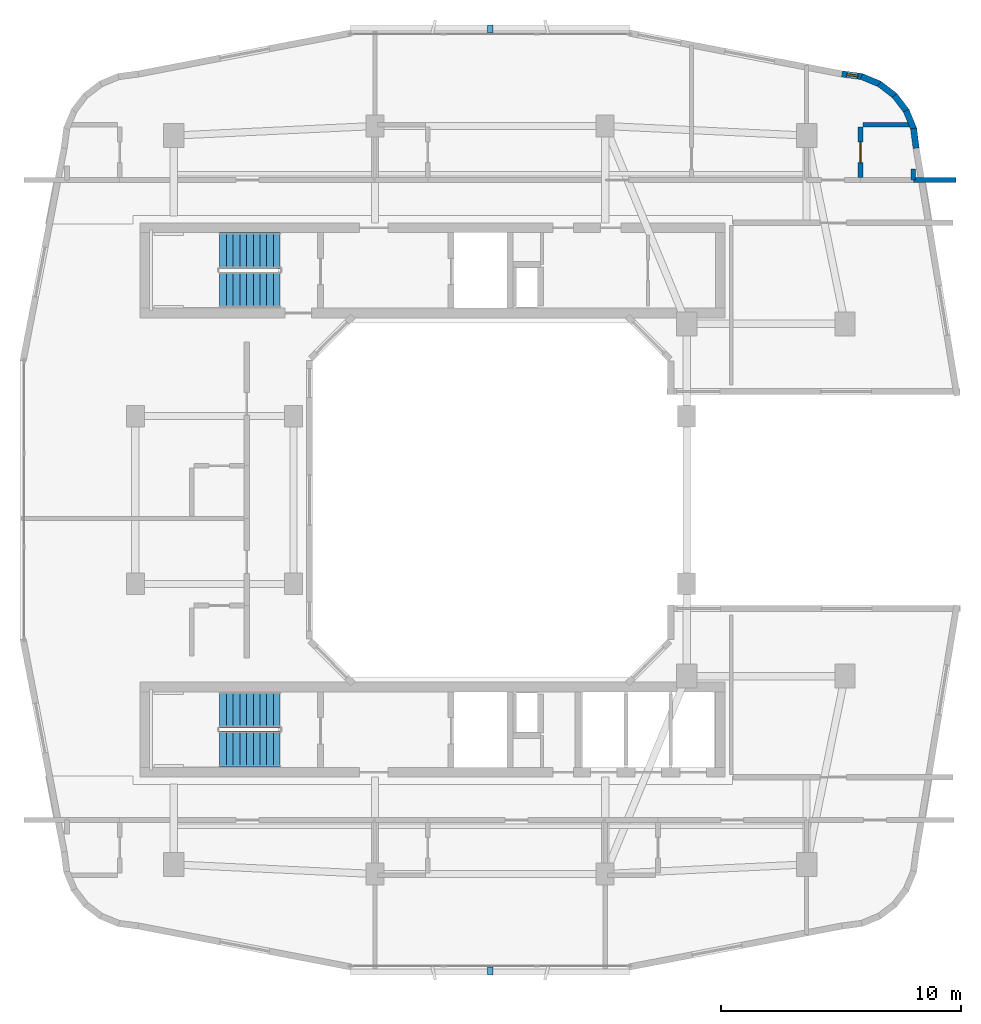
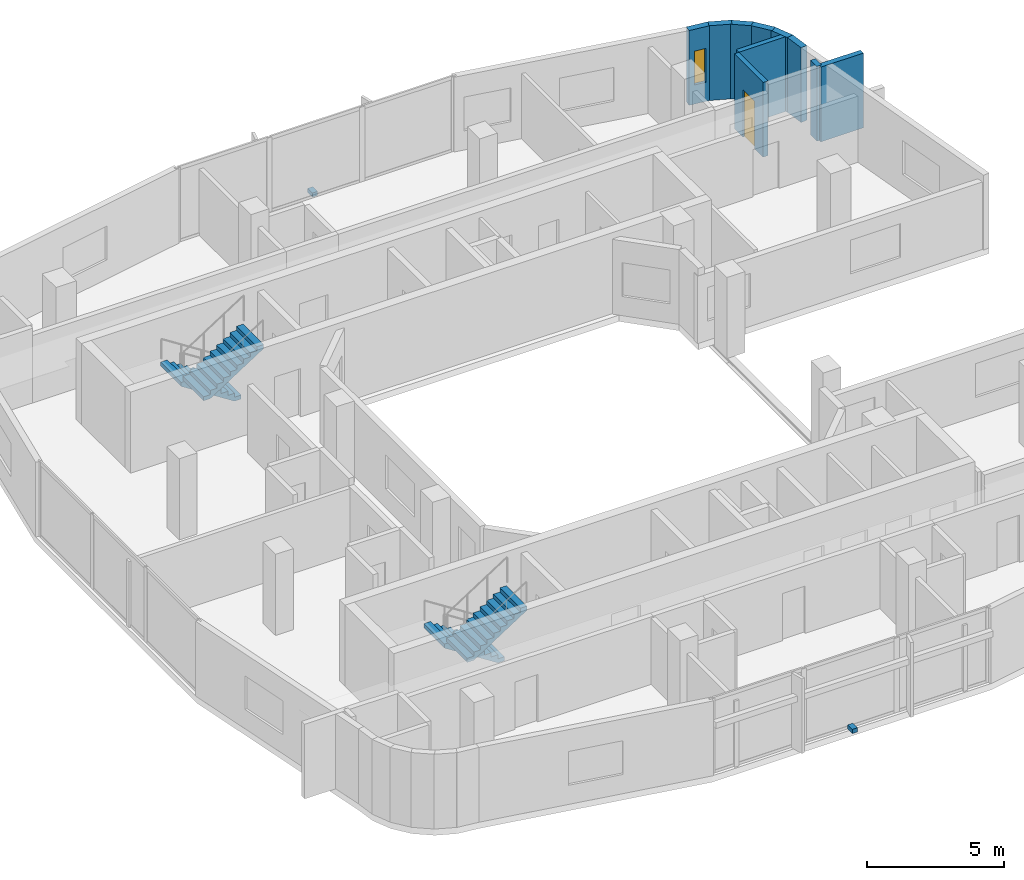
# One storey, part 8 of 12: 10 walls, 4 stair flights, 2 discrete accessories, 1 door, 1 window, 2 openings, 2 elements without a shape of their own.
"""IFC4 building model written with IfcOpenShell, lengths in metres."""

from ifc_helpers import new_model, si_unit, derived_unit, direction, frame, frame_2d, origin, origin_2d, place, context, subcontext, project, spatial, polyline, rectangle, outline, extrude, material, layer, layer_set, type_object, element, fill, aggregate, save


model = new_model("IFC4")

# Units and contexts
model_context = context("Model", 3, precision=1e-05, world=origin(), true_north=direction((0.0, 1.0)))
body_context = subcontext(model_context, "Body", "Model", "MODEL_VIEW")
ifc_project = project(units=[si_unit("LENGTHUNIT", "METRE"), si_unit("AREAUNIT", "SQUARE_METRE"), si_unit("VOLUMEUNIT", "CUBIC_METRE"), si_unit("PLANEANGLEUNIT", "RADIAN"), si_unit("MASSUNIT", "GRAM", prefix="KILO"), derived_unit("THERMALTRANSMITTANCEUNIT", [(si_unit("POWERUNIT", "WATT"), 1), (si_unit("LENGTHUNIT", "METRE"), -2), (si_unit("THERMODYNAMICTEMPERATUREUNIT", "KELVIN"), -1)])], contexts=[model_context])

# Site, building, storey
site_placement = place(None, origin())
site = spatial("IfcSite", under=ifc_project, at=site_placement, CompositionType="ELEMENT")
building_placement = place(site_placement, origin())
building = spatial("IfcBuilding", under=site, at=building_placement, Name="Kivonza Crest Hotel", CompositionType="ELEMENT")
storey_placement = place(building_placement, frame((0.0, 0.0, 181.10009765625)))
storey = spatial("IfcBuildingStorey", under=building, at=storey_placement, Name="L49", CompositionType="ELEMENT", Elevation=181.10009765625)

# Walls
ifc_material_1 = material(Name="Autoclaved aerated concrete blockwork", Category="masonry")
ifc_layer_1 = layer(ifc_material_1, 0.219970703125)
ifc_layer_set_1 = layer_set([ifc_layer_1], Name="Autoclaved aerated concrete blockwork")
wall_type_1 = type_object("IfcWallType", Name="WL-ACOU-220", PredefinedType="SOLIDWALL", material=ifc_layer_set_1)
wall_1_placement = place(storey_placement, frame((38.64990234375, 38.35009765625, 0.0), z_axis=(0.0, 0.0, 1.0), x_axis=(1.0, 0.0, 0.0)))
element("IfcWall", 1, at=wall_1_placement, inside=storey, type_object=wall_type_1, Name="L49 interior partition WA-L49-N03-XCORR", PredefinedType="SOLIDWALL", context=body_context, shape_type="SweptSolid", body=[
    extrude(rectangle(XDim=1.7900390625, YDim=0.219970703125, at=frame_2d((0.89501953125, 0.0))), origin(), (0.0, 0.0, 1.0), 3.31982421875),
])
ifc_material_2 = material(Name="Precast concrete C40/50", Category="concrete")
ifc_layer_2 = layer(ifc_material_2, 0.260009765625)
ifc_layer_set_2 = layer_set([ifc_layer_2], Name="Precast concrete C40/50")
wall_type_2 = type_object("IfcWallType", Name="WL-EXT-260", PredefinedType="STANDARD", material=ifc_layer_set_2)
wall_2_placement = place(storey_placement, frame((38.77197265625, 39.675048828125, 0.0), z_axis=(0.0, 0.0, 1.0), x_axis=(-0.130704676564, 0.99142134712, 0.0)))
element("IfcWall", 2, at=wall_2_placement, inside=storey, type_object=wall_type_2, Name="L49 T1 exterior insulated wall 29", PredefinedType="STANDARD", context=body_context, shape_type="SweptSolid", body=[
    extrude(rectangle(XDim=0.8330078125, YDim=0.260009765625, at=frame_2d((0.41650390625, 0.0))), origin(), (0.0, 0.0, 1.0), 3.31982421875),
])
wall_3_placement = place(storey_placement, frame((38.680908203125, 40.455078125, 0.0), z_axis=(0.0, 0.0, 1.0), x_axis=(-0.383086687796, 0.923712395518, 0.0)))
element("IfcWall", 3, at=wall_3_placement, inside=storey, type_object=wall_type_2, Name="L49 T1 exterior insulated wall 30", PredefinedType="STANDARD", context=body_context, shape_type="SweptSolid", body=[
    extrude(rectangle(XDim=0.850830078125, YDim=0.260009765625, at=frame_2d((0.42529296875, 0.0))), origin(), (0.0, 0.0, 1.0), 3.31982421875),
])
for number, where, z_axis, x_axis, name in (
    (4, (38.383056640625, 41.200927734375, 0.0), (0.0, 0.0, 1.0), (-0.608099977432, 0.793860452124, 0.0), "L49 T1 exterior insulated wall 31"),
    (5, (37.904052734375, 41.844970703125, 0.0), (0.0, 0.0, 1.0), (-0.793860452124, 0.608099977432, 0.0), "L49 T1 exterior insulated wall 32"),
):
    element("IfcWall", number, at=place(storey_placement, frame(where, z_axis=z_axis, x_axis=x_axis)), inside=storey, type_object=wall_type_2, Name=name, PredefinedType="STANDARD", context=body_context, shape_type="SweptSolid", body=[
        extrude(rectangle(XDim=0.850341796875, YDim=0.260009765625, at=frame_2d((0.42529296875, 0.0))), origin(), (0.0, 0.0, 1.0), 3.31982421875),
    ])
wall_4_placement = place(storey_placement, frame((37.27294921875, 42.341064453125, 0.0), z_axis=(0.0, 0.0, 1.0), x_axis=(-0.923712395518, 0.383086687796, 0.0)))
element("IfcWall", 6, at=wall_4_placement, inside=storey, type_object=wall_type_2, Name="L49 T1 exterior insulated wall 33", PredefinedType="STANDARD", context=body_context, shape_type="SweptSolid", body=[
    extrude(rectangle(XDim=0.850830078125, YDim=0.260009765625, at=frame_2d((0.42529296875, 0.0))), origin(), (0.0, 0.0, 1.0), 3.31982421875),
])

# Wall, opening, window
wall_5_placement = place(storey_placement, frame((36.535888671875, 42.658935546875, 0.0), z_axis=(0.0, 0.0, 1.0), x_axis=(-0.991488716273, 0.130192647656, 0.0)))
wall_5 = element("IfcWall", 7, at=wall_5_placement, inside=storey, type_object=wall_type_2, Name="L49 T1 exterior insulated wall 34", PredefinedType="STANDARD", context=body_context, shape_type="SweptSolid", body=[
    extrude(rectangle(XDim=0.8681640625, YDim=0.260009765625, at=frame_2d((0.43408203125, 0.0))), origin(), (0.0, 0.0, 1.0), 3.31982421875),
])
opening_1_placement = place(wall_5_placement, frame((0.208984375, 0.0, 0.85009765625)))
opening_1 = element("IfcOpeningElement", 8, at=opening_1_placement, cuts=wall_5, Name="Opening WN-11", PredefinedType="OPENING", context=body_context, shape_type="SweptSolid", body=[
    extrude(rectangle(XDim=0.449951171875, YDim=1.5, at=frame_2d((0.22509765625, 0.75))), frame((0.0, 0.14013671875, 0.0), z_axis=(0.0, -1.0, 0.0), x_axis=(1.0, 0.0, 0.0)), (0.0, 0.0, 1.0), 0.280029296875),
])
ifc_material_3 = material(Name="Thermally broken bronze aluminium and low-E double glazing", Category="aluminium")
window_type = type_object("IfcWindowType", Name="WN-045x150", PartitioningType="SINGLE_PANEL", PredefinedType="WINDOW", material=ifc_material_3)
window_placement = place(opening_1_placement, origin())
window = element("IfcWindow", 9, at=window_placement, inside=storey, type_object=window_type, Name="L49 corner vision window 1", OverallHeight=1.5, OverallWidth=0.449951171875, PartitioningType="SINGLE_PANEL", PredefinedType="WINDOW", context=body_context, shape_type="SweptSolid", body=[
    extrude(rectangle(XDim=0.449951171875, YDim=1.5, at=frame_2d((0.22509765625, 0.75))), frame((0.0, 0.030029296875, 0.0), z_axis=(0.0, -1.0, 0.0), x_axis=(1.0, 0.0, 0.0)), (0.0, 0.0, 1.0), 0.06005859375),
])
fill(opening_1, window)

# Wall, opening, door
ifc_material_4 = material(Name="Moisture-resistant plumbing chase partition wall", Category="gypsum")
ifc_layer_3 = layer(ifc_material_4, 0.199951171875)
ifc_layer_set_3 = layer_set([ifc_layer_3], Name="Moisture-resistant plumbing chase partition wall")
wall_type_3 = type_object("IfcWallType", Name="WL-PLUMB-200", PredefinedType="PLUMBINGWALL", material=ifc_layer_set_3)
wall_6_placement = place(storey_placement, frame((36.449951171875, 38.449951171875, 0.0), z_axis=(0.0, 0.0, 1.0), x_axis=(0.0, 1.0, 0.0)))
wall_6 = element("IfcWall", 10, at=wall_6_placement, inside=storey, type_object=wall_type_3, Name="L49 interior partition WW-L49-N03-BV", PredefinedType="PLUMBINGWALL", context=body_context, shape_type="SweptSolid", body=[
    extrude(rectangle(XDim=2.10009765625, YDim=0.199951171875, at=frame_2d((1.050048828125, 0.0))), origin(), (0.0, 0.0, 1.0), 3.31982421875),
])
opening_2_placement = place(wall_6_placement, frame((0.625, 0.0, 0.0)))
opening_2 = element("IfcOpeningElement", 11, at=opening_2_placement, cuts=wall_6, Name="Opening DI-85", PredefinedType="OPENING", context=body_context, shape_type="SweptSolid", body=[
    extrude(rectangle(XDim=0.85009765625, YDim=2.10009765625, at=frame_2d((0.425048828125, 1.050048828125))), frame((0.0, 0.10986328125, 0.0), z_axis=(0.0, -1.0, 0.0), x_axis=(1.0, 0.0, 0.0)), (0.0, 0.0, 1.0), 0.219970703125),
])
ifc_material_5 = material(Name="Hardwood timber oak", Category="wood")
door_type = type_object("IfcDoorType", Name="DR-INT-850", OperationType="NOTDEFINED", PredefinedType="DOOR", material=ifc_material_5)
door_placement = place(opening_2_placement, origin())
door = element("IfcDoor", 12, at=door_placement, inside=storey, type_object=door_type, Name="L49 N03 en-suite bathroom door", OperationType="SINGLE_SWING_RIGHT", OverallHeight=2.10009765625, OverallWidth=0.85009765625, PredefinedType="DOOR", context=body_context, shape_type="SweptSolid", body=[
    extrude(rectangle(XDim=0.85009765625, YDim=2.10009765625, at=frame_2d((0.425048828125, 1.050048828125))), frame((0.0, 0.02490234375, 0.0), z_axis=(0.0, -1.0, 0.0), x_axis=(1.0, 0.0, 0.0)), (0.0, 0.0, 1.0), 0.050048828125),
])
fill(opening_2, door)

# Walls
wall_7_placement = place(storey_placement, frame((36.550048828125, 40.64990234375, 0.0), z_axis=(0.0, 0.0, 1.0), x_axis=(1.0, 0.0, 0.0)))
element("IfcWall", 13, at=wall_7_placement, inside=storey, type_object=wall_type_3, Name="L49 interior partition WW-L49-N03-BH", PredefinedType="PLUMBINGWALL", context=body_context, shape_type="SweptSolid", body=[
    extrude(rectangle(XDim=2.0, YDim=0.199951171875, at=frame_2d((1.0, 0.0))), origin(), (0.0, 0.0, 1.0), 3.31982421875),
])
wall_8_placement = place(storey_placement, frame((38.64990234375, 38.35009765625, 0.0), z_axis=(0.0, 0.0, 1.0), x_axis=(0.0, 1.0, 0.0)))
element("IfcWall", 14, at=wall_8_placement, inside=storey, type_object=wall_type_3, Name="L49 interior partition WW-L49-N03-BVE", PredefinedType="PLUMBINGWALL", context=body_context, shape_type="SweptSolid", body=[
    extrude(rectangle(XDim=0.458984375, YDim=0.199951171875, at=frame_2d((0.2294921875, 0.0))), origin(), (0.0, 0.0, 1.0), 3.31982421875),
])

# Stair, stair flights
ifc_material_6 = material(Name="Concrete C40/50", Category="concrete")
stair_type = type_object("IfcStairType", Name="ST-DL-20R", PredefinedType="HALF_TURN_STAIR", material=ifc_material_6)
stair_1_placement = place(storey_placement, origin())
stair_1 = element("IfcStair", 15, at=stair_1_placement, inside=storey, type_object=stair_type, Name="L49 Protected Exit Stair ST-T1-N", PredefinedType="HALF_TURN_STAIR")
stair_flight_type = type_object("IfcStairFlightType", Name="SFL-RC-10R", PredefinedType="STRAIGHT", material=ifc_material_6)
stair_flight_1_placement = place(storey_placement, frame((12.239990234375, 35.409912109375, 0.0), z_axis=(0.0, 0.0, 1.0), x_axis=(-1.0, 0.0, 0.0)))
stair_flight_1 = element("IfcStairFlight", 16, at=stair_flight_1_placement, type_object=stair_flight_type, Name="ST-T1-N flight 1", NumberOfRisers=10, NumberOfTreads=9, PredefinedType="STRAIGHT", RiserHeight=0.18, TreadLength=0.28, context=body_context, shape_type="SweptSolid", body=[
    extrude(outline(polyline([(0.0, 0.0), (0.0, 0.179931640625), (0.280029296875, 0.179931640625), (0.280029296875, 0.360107421875), (0.56005859375, 0.360107421875), (0.56005859375, 0.5400390625), (0.840087890625, 0.5400390625), (0.840087890625, 0.719970703125), (1.1201171875, 0.719970703125), (1.1201171875, 0.89990234375), (1.39990234375, 0.89990234375), (1.39990234375, 1.080078125), (1.679931640625, 1.080078125), (1.679931640625, 1.260009765625), (1.9599609375, 1.260009765625), (1.9599609375, 1.43994140625), (2.239990234375, 1.43994140625), (2.239990234375, 1.6201171875), (2.52001953125, 1.6201171875), (2.52001953125, 1.800048828125), (2.52001953125, 1.44189453125), (0.277099609375, 0.0), (0.0, 0.0)])), frame((0.0, 0.75, 0.0), z_axis=(0.0, -1.0, 0.0), x_axis=(1.0, 0.0, 0.0)), (0.0, 0.0, 1.0), 1.5),
])
stair_flight_2_placement = place(storey_placement, frame((9.719970703125, 33.77001953125, 1.7998046875), z_axis=(0.0, 0.0, 1.0), x_axis=(1.0, 0.0, 0.0)))
stair_flight_2 = element("IfcStairFlight", 17, at=stair_flight_2_placement, type_object=stair_flight_type, Name="ST-T1-N flight 2", NumberOfRisers=10, NumberOfTreads=9, PredefinedType="STRAIGHT", RiserHeight=0.18, TreadLength=0.28, context=body_context, shape_type="SweptSolid", body=[
    extrude(outline(polyline([(0.0, 0.0), (0.0, 0.179931640625), (0.280029296875, 0.179931640625), (0.280029296875, 0.360107421875), (0.56005859375, 0.360107421875), (0.56005859375, 0.5400390625), (0.840087890625, 0.5400390625), (0.840087890625, 0.719970703125), (1.1201171875, 0.719970703125), (1.1201171875, 0.89990234375), (1.39990234375, 0.89990234375), (1.39990234375, 1.080078125), (1.679931640625, 1.080078125), (1.679931640625, 1.260009765625), (1.9599609375, 1.260009765625), (1.9599609375, 1.43994140625), (2.239990234375, 1.43994140625), (2.239990234375, 1.6201171875), (2.52001953125, 1.6201171875), (2.52001953125, 1.800048828125), (2.52001953125, 1.44189453125), (0.277099609375, 0.0), (0.0, 0.0)])), frame((0.0, 0.75, 0.0), z_axis=(0.0, -1.0, 0.0), x_axis=(1.0, 0.0, 0.0)), (0.0, 0.0, 1.0), 1.5),
])
aggregate(stair_1, [stair_flight_1, stair_flight_2])

stair_2_placement = place(storey_placement, origin())
stair_2 = element("IfcStair", 18, at=stair_2_placement, inside=storey, type_object=stair_type, Name="L49 Protected Exit Stair ST-T1-S", PredefinedType="HALF_TURN_STAIR")
stair_flight_3_placement = place(storey_placement, frame((12.239990234375, 16.25, 0.0), z_axis=(0.0, 0.0, 1.0), x_axis=(-1.0, 0.0, 0.0)))
stair_flight_3 = element("IfcStairFlight", 19, at=stair_flight_3_placement, type_object=stair_flight_type, Name="ST-T1-S flight 1", NumberOfRisers=10, NumberOfTreads=9, PredefinedType="STRAIGHT", RiserHeight=0.18, TreadLength=0.28, context=body_context, shape_type="SweptSolid", body=[
    extrude(outline(polyline([(0.0, 0.0), (0.0, 0.179931640625), (0.280029296875, 0.179931640625), (0.280029296875, 0.360107421875), (0.56005859375, 0.360107421875), (0.56005859375, 0.5400390625), (0.840087890625, 0.5400390625), (0.840087890625, 0.719970703125), (1.1201171875, 0.719970703125), (1.1201171875, 0.89990234375), (1.39990234375, 0.89990234375), (1.39990234375, 1.080078125), (1.679931640625, 1.080078125), (1.679931640625, 1.260009765625), (1.9599609375, 1.260009765625), (1.9599609375, 1.43994140625), (2.239990234375, 1.43994140625), (2.239990234375, 1.6201171875), (2.52001953125, 1.6201171875), (2.52001953125, 1.800048828125), (2.52001953125, 1.44189453125), (0.277099609375, 0.0), (0.0, 0.0)])), frame((0.0, 0.75, 0.0), z_axis=(0.0, -1.0, 0.0), x_axis=(1.0, 0.0, 0.0)), (0.0, 0.0, 1.0), 1.5),
])
stair_flight_4_placement = place(storey_placement, frame((9.719970703125, 14.610107421875, 1.7998046875), z_axis=(0.0, 0.0, 1.0), x_axis=(1.0, 0.0, 0.0)))
stair_flight_4 = element("IfcStairFlight", 20, at=stair_flight_4_placement, type_object=stair_flight_type, Name="ST-T1-S flight 2", NumberOfRisers=10, NumberOfTreads=9, PredefinedType="STRAIGHT", RiserHeight=0.18, TreadLength=0.28, context=body_context, shape_type="SweptSolid", body=[
    extrude(outline(polyline([(0.0, 0.0), (0.0, 0.179931640625), (0.280029296875, 0.179931640625), (0.280029296875, 0.360107421875), (0.56005859375, 0.360107421875), (0.56005859375, 0.5400390625), (0.840087890625, 0.5400390625), (0.840087890625, 0.719970703125), (1.1201171875, 0.719970703125), (1.1201171875, 0.89990234375), (1.39990234375, 0.89990234375), (1.39990234375, 1.080078125), (1.679931640625, 1.080078125), (1.679931640625, 1.260009765625), (1.9599609375, 1.260009765625), (1.9599609375, 1.43994140625), (2.239990234375, 1.43994140625), (2.239990234375, 1.6201171875), (2.52001953125, 1.6201171875), (2.52001953125, 1.800048828125), (2.52001953125, 1.44189453125), (0.277099609375, 0.0), (0.0, 0.0)])), frame((0.0, 0.75, 0.0), z_axis=(0.0, -1.0, 0.0), x_axis=(1.0, 0.0, 0.0)), (0.0, 0.0, 1.0), 1.5),
])
aggregate(stair_2, [stair_flight_3, stair_flight_4])

# Discrete accessories
ifc_material_7 = material(Name="Stainless steel 316", Category="steel")
discrete_accessory_type = type_object("IfcDiscreteAccessoryType", Name="AC-BRACKET-240", PredefinedType="BRACKET", material=ifc_material_7)
for number, where, z_axis, x_axis, name in (
    (21, (21.0, 5.360107421875, -0.01025390625), (0.0, 0.0, 1.0), (1.0, 0.0, 0.0), "L49 terracotta baguette support bracket CW-T1-L49-08"),
    (22, (21.0, 44.639892578125, -0.01025390625), (0.0, 0.0, 1.0), (-1.0, 0.0, 0.0), "L49 terracotta baguette support bracket CW-T1-L49-36"),
):
    element("IfcDiscreteAccessory", number, at=place(storey_placement, frame(where, z_axis=z_axis, x_axis=x_axis)), inside=storey, type_object=discrete_accessory_type, Name=name, PredefinedType="BRACKET", context=body_context, shape_type="SweptSolid", body=[
        extrude(rectangle(XDim=0.219970703125, YDim=0.340087890625, at=origin_2d()), origin(), (0.0, 0.0, 1.0), 0.179931640625),
    ])

save(model, "model.ifc")
